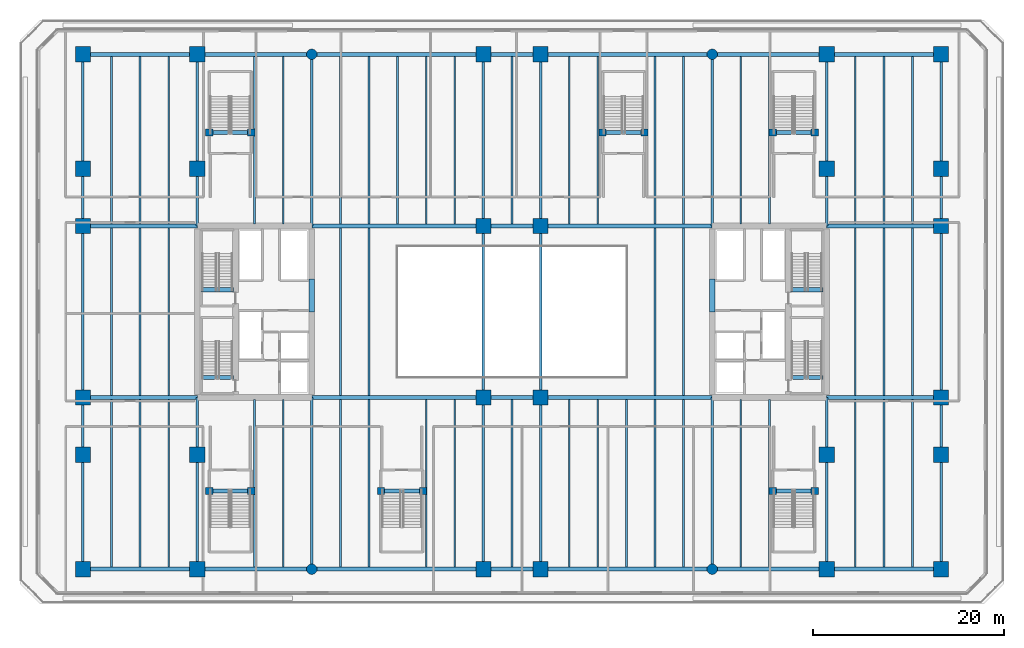
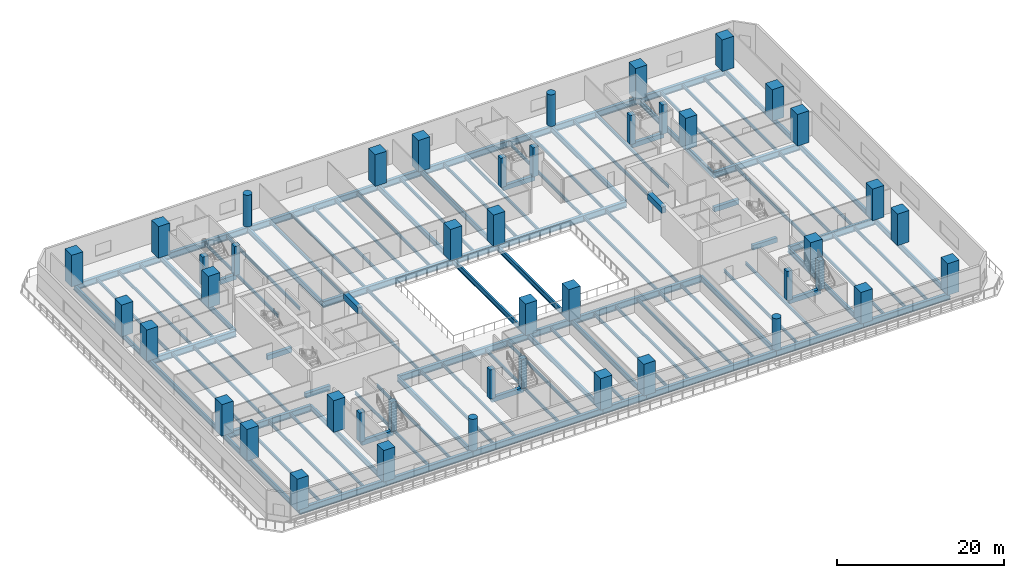
# One storey, part 1 of 27: 106 beams, 44 columns.
"""IFC4 building model written with IfcOpenShell, lengths in metres."""

from ifc_helpers import new_model, si_unit, direction, frame, origin, origin_2d, place, context, subcontext, project, spatial, rectangle, circle, i_section, extrude, material, material_profile, profile_set, type_object, element, save


model = new_model("IFC4")

# Units and contexts
model_context = context("Model", 3, precision=1e-05, world=origin(), true_north=direction((0.0, 1.0)))
body_context = subcontext(model_context, "Body", "Model", "MODEL_VIEW")
ifc_project = project(units=[si_unit("LENGTHUNIT", "METRE"), si_unit("AREAUNIT", "SQUARE_METRE"), si_unit("VOLUMEUNIT", "CUBIC_METRE"), si_unit("PLANEANGLEUNIT", "RADIAN"), si_unit("MASSUNIT", "GRAM", prefix="KILO")], contexts=[model_context])

# Site, building, storey
site_placement = place(None, origin())
site = spatial("IfcSite", under=ifc_project, at=site_placement, CompositionType="ELEMENT")
building_placement = place(site_placement, origin())
building = spatial("IfcBuilding", under=site, at=building_placement, Name="Tanjung Sevakor Pilgrim Tower", CompositionType="ELEMENT")
storey_placement = place(building_placement, frame((0.0, 0.0, 19.469970703125)))
storey = spatial("IfcBuildingStorey", under=building, at=storey_placement, Name="L05", CompositionType="ELEMENT", Elevation=19.469970703125)

# Columns
ifc_material_1 = material(Name="Concrete C60/75", Category="concrete")
ifc_material_profile_1 = material_profile(ifc_material_1, circle(Radius=0.550048828125, at=origin_2d()))
ifc_profile_set_1 = profile_set([ifc_material_profile_1], Name="Concrete C60/75")
column_type_1 = type_object("IfcColumnType", Name="COL-C-D1100-RC-COL_D1100", PredefinedType="COLUMN", material=ifc_profile_set_1)
for number, where, z_axis, x_axis, name in (
    (1, (36.0, 6.60009765625, 0.0), (0.0, 0.0, 1.0), (1.0, 0.0, 0.0), "L05 Column MC-036-066"),
    (2, (36.0, 60.60009765625, 0.0), (0.0, 0.0, 1.0), (1.0, 0.0, 0.0), "L05 Column MC-036-606"),
    (3, (78.0, 6.60009765625, 0.0), (0.0, 0.0, 1.0), (1.0, 0.0, 0.0), "L05 Column MC-078-066"),
    (4, (78.0, 60.60009765625, 0.0), (0.0, 0.0, 1.0), (1.0, 0.0, 0.0), "L05 Column MC-078-606"),
):
    element("IfcColumn", number, at=place(storey_placement, frame(where, z_axis=z_axis, x_axis=x_axis)), inside=storey, type_object=column_type_1, Name=name, PredefinedType="COLUMN", context=body_context, shape_type="SweptSolid", body=[
        extrude(circle(Radius=0.550048828125, at=origin_2d()), origin(), (0.0, 0.0, 1.0), 4.6201171875),
    ])
ifc_material_2 = material(Name="Concrete C60/75", Category="concrete")
ifc_material_profile_2 = material_profile(ifc_material_2, rectangle(XDim=1.60009765625, YDim=1.60009765625, at=origin_2d()))
ifc_profile_set_2 = profile_set([ifc_material_profile_2], Name="Concrete C60/75")
column_type_2 = type_object("IfcColumnType", Name="COL-C-M1600-RC_1600x1600", PredefinedType="COLUMN", material=ifc_profile_set_2)
for number, where, z_axis, x_axis, name in (
    (5, (12.0, 6.60009765625, 0.0), (0.0, 0.0, 1.0), (1.0, 0.0, 0.0), "L05 Column MC-012-066"),
    (6, (12.0, 24.60009765625, 0.0), (0.0, 0.0, 1.0), (1.0, 0.0, 0.0), "L05 Column MC-012-246"),
    (7, (12.0, 42.60009765625, 0.0), (0.0, 0.0, 1.0), (1.0, 0.0, 0.0), "L05 Column MC-012-426"),
    (8, (12.0, 60.60009765625, 0.0), (0.0, 0.0, 1.0), (1.0, 0.0, 0.0), "L05 Column MC-012-606"),
    (9, (24.0, 6.60009765625, 0.0), (0.0, 0.0, 1.0), (1.0, 0.0, 0.0), "L05 Column MC-024-066"),
    (10, (24.0, 60.60009765625, 0.0), (0.0, 0.0, 1.0), (1.0, 0.0, 0.0), "L05 Column MC-024-606"),
    (11, (54.0, 6.60009765625, 0.0), (0.0, 0.0, 1.0), (1.0, 0.0, 0.0), "L05 Column MC-054-066"),
    (12, (54.0, 24.60009765625, 0.0), (0.0, 0.0, 1.0), (1.0, 0.0, 0.0), "L05 Column MC-054-246"),
    (13, (54.0, 42.60009765625, 0.0), (0.0, 0.0, 1.0), (1.0, 0.0, 0.0), "L05 Column MC-054-426"),
    (14, (54.0, 60.60009765625, 0.0), (0.0, 0.0, 1.0), (1.0, 0.0, 0.0), "L05 Column MC-054-606"),
    (15, (60.0, 6.60009765625, 0.0), (0.0, 0.0, 1.0), (1.0, 0.0, 0.0), "L05 Column MC-060-066"),
    (16, (60.0, 24.60009765625, 0.0), (0.0, 0.0, 1.0), (1.0, 0.0, 0.0), "L05 Column MC-060-246"),
    (17, (60.0, 42.60009765625, 0.0), (0.0, 0.0, 1.0), (1.0, 0.0, 0.0), "L05 Column MC-060-426"),
    (18, (60.0, 60.60009765625, 0.0), (0.0, 0.0, 1.0), (1.0, 0.0, 0.0), "L05 Column MC-060-606"),
    (19, (90.0, 6.60009765625, 0.0), (0.0, 0.0, 1.0), (1.0, 0.0, 0.0), "L05 Column MC-090-066"),
    (20, (90.0, 60.60009765625, 0.0), (0.0, 0.0, 1.0), (1.0, 0.0, 0.0), "L05 Column MC-090-606"),
    (21, (102.0, 6.60009765625, 0.0), (0.0, 0.0, 1.0), (1.0, 0.0, 0.0), "L05 Column MC-102-066"),
    (22, (102.0, 24.60009765625, 0.0), (0.0, 0.0, 1.0), (1.0, 0.0, 0.0), "L05 Column MC-102-246"),
    (23, (102.0, 42.60009765625, 0.0), (0.0, 0.0, 1.0), (1.0, 0.0, 0.0), "L05 Column MC-102-426"),
    (24, (102.0, 60.60009765625, 0.0), (0.0, 0.0, 1.0), (1.0, 0.0, 0.0), "L05 Column MC-102-606"),
    (25, (12.0, 18.60009765625, 0.0), (0.0, 0.0, 1.0), (1.0, 0.0, 0.0), "L05 Column MCE-012-186"),
    (26, (12.0, 48.60009765625, 0.0), (0.0, 0.0, 1.0), (1.0, 0.0, 0.0), "L05 Column MCE-012-486"),
    (27, (24.0, 18.60009765625, 0.0), (0.0, 0.0, 1.0), (1.0, 0.0, 0.0), "L05 Column MCE-024-186"),
    (28, (24.0, 48.60009765625, 0.0), (0.0, 0.0, 1.0), (1.0, 0.0, 0.0), "L05 Column MCE-024-486"),
    (29, (90.0, 18.60009765625, 0.0), (0.0, 0.0, 1.0), (1.0, 0.0, 0.0), "L05 Column MCE-090-186"),
    (30, (90.0, 48.60009765625, 0.0), (0.0, 0.0, 1.0), (1.0, 0.0, 0.0), "L05 Column MCE-090-486"),
    (31, (102.0, 18.60009765625, 0.0), (0.0, 0.0, 1.0), (1.0, 0.0, 0.0), "L05 Column MCE-102-186"),
    (32, (102.0, 48.60009765625, 0.0), (0.0, 0.0, 1.0), (1.0, 0.0, 0.0), "L05 Column MCE-102-486"),
):
    element("IfcColumn", number, at=place(storey_placement, frame(where, z_axis=z_axis, x_axis=x_axis)), inside=storey, type_object=column_type_2, Name=name, PredefinedType="COLUMN", context=body_context, shape_type="SweptSolid", body=[
        extrude(rectangle(XDim=1.60009765625, YDim=1.60009765625, at=origin_2d()), origin(), (0.0, 0.0, 1.0), 4.6201171875),
    ])
ifc_material_3 = material(Name="Concrete C60/75", Category="concrete")
ifc_material_profile_3 = material_profile(ifc_material_3, rectangle(XDim=0.75, YDim=0.75, at=origin_2d()))
ifc_profile_set_3 = profile_set([ifc_material_profile_3], Name="Concrete C60/75")
column_type_3 = type_object("IfcColumnType", Name="COL-C-T750-RC_750x750", PredefinedType="COLUMN", material=ifc_profile_set_3)
for number, where, z_axis, x_axis, name in (
    (33, (25.25, 14.800048828125, 0.0), (0.0, 0.0, 1.0), (1.0, 0.0, 0.0), "L05 Stair Frame Column PS1P1"),
    (34, (29.64990234375, 14.800048828125, 0.0), (0.0, 0.0, 1.0), (1.0, 0.0, 0.0), "L05 Stair Frame Column PS1P2"),
    (35, (25.25, 52.39990234375, 0.0), (0.0, 0.0, 1.0), (1.0, 0.0, 0.0), "L05 Stair Frame Column PS2P1"),
    (36, (29.64990234375, 52.39990234375, 0.0), (0.0, 0.0, 1.0), (1.0, 0.0, 0.0), "L05 Stair Frame Column PS2P2"),
    (37, (43.25, 14.800048828125, 0.0), (0.0, 0.0, 1.0), (1.0, 0.0, 0.0), "L05 Stair Frame Column PS3P1"),
    (38, (47.64990234375, 14.800048828125, 0.0), (0.0, 0.0, 1.0), (1.0, 0.0, 0.0), "L05 Stair Frame Column PS3P2"),
    (39, (66.5, 52.39990234375, 0.0), (0.0, 0.0, 1.0), (1.0, 0.0, 0.0), "L05 Stair Frame Column PS4P1"),
    (40, (70.89990234375, 52.39990234375, 0.0), (0.0, 0.0, 1.0), (1.0, 0.0, 0.0), "L05 Stair Frame Column PS4P2"),
    (41, (84.35009765625, 14.800048828125, 0.0), (0.0, 0.0, 1.0), (1.0, 0.0, 0.0), "L05 Stair Frame Column PS5P1"),
    (42, (88.75, 14.800048828125, 0.0), (0.0, 0.0, 1.0), (1.0, 0.0, 0.0), "L05 Stair Frame Column PS5P2"),
    (43, (84.35009765625, 52.39990234375, 0.0), (0.0, 0.0, 1.0), (1.0, 0.0, 0.0), "L05 Stair Frame Column PS6P1"),
    (44, (88.75, 52.39990234375, 0.0), (0.0, 0.0, 1.0), (1.0, 0.0, 0.0), "L05 Stair Frame Column PS6P2"),
):
    element("IfcColumn", number, at=place(storey_placement, frame(where, z_axis=z_axis, x_axis=x_axis)), inside=storey, type_object=column_type_3, Name=name, PredefinedType="COLUMN", context=body_context, shape_type="SweptSolid", body=[
        extrude(rectangle(XDim=0.75, YDim=0.75, at=origin_2d()), origin(), (0.0, 0.0, 1.0), 4.27001953125),
    ])

# Beams
ifc_material_4 = material(Name="Steel S355J2", Category="steel")
ifc_material_profile_4 = material_profile(ifc_material_4, i_section(OverallWidth=0.26806640625, OverallDepth=0.769775390625, WebThickness=0.015625, FlangeThickness=0.025390625, FilletRadius=0.0166015625, at=origin_2d()))
ifc_profile_set_4 = profile_set([ifc_material_profile_4], Name="Steel S355J2")
beam_type_1 = type_object("IfcBeamType", Name="BM-B-G1-UB_762x267x197", PredefinedType="BEAM", material=ifc_profile_set_4)
for number, where, z_axis, x_axis, name in (
    (45, (12.0, 6.60009765625, -0.664794921875), (0.0, 1.0, 0.0), (-1.0, 0.0, 0.0), "L05 Podium Girder NS X12-1"),
    (46, (12.0, 24.60009765625, -0.664794921875), (0.0, 1.0, 0.0), (-1.0, 0.0, 0.0), "L05 Podium Girder NS X12-2"),
    (47, (12.0, 42.60009765625, -0.664794921875), (0.0, 1.0, 0.0), (-1.0, 0.0, 0.0), "L05 Podium Girder NS X12-3"),
    (48, (24.0, 6.60009765625, -0.664794921875), (0.0, 1.0, 0.0), (-1.0, 0.0, 0.0), "L05 Podium Girder NS X24-1"),
    (49, (24.0, 42.60009765625, -0.664794921875), (0.0, 1.0, 0.0), (-1.0, 0.0, 0.0), "L05 Podium Girder NS X24-2"),
    (50, (36.0, 6.60009765625, -0.664794921875), (0.0, 1.0, 0.0), (-1.0, 0.0, 0.0), "L05 Podium Girder NS X36-1"),
    (51, (36.0, 42.60009765625, -0.664794921875), (0.0, 1.0, 0.0), (-1.0, 0.0, 0.0), "L05 Podium Girder NS X36-2"),
    (52, (54.0, 6.60009765625, -0.664794921875), (0.0, 1.0, 0.0), (-1.0, 0.0, 0.0), "L05 Podium Girder NS X54-1"),
    (53, (54.0, 24.60009765625, -0.664794921875), (0.0, 1.0, 0.0), (-1.0, 0.0, 0.0), "L05 Podium Girder NS X54-2"),
    (54, (54.0, 42.60009765625, -0.664794921875), (0.0, 1.0, 0.0), (-1.0, 0.0, 0.0), "L05 Podium Girder NS X54-3"),
    (55, (60.0, 6.60009765625, -0.664794921875), (0.0, 1.0, 0.0), (-1.0, 0.0, 0.0), "L05 Podium Girder NS X60-1"),
    (56, (60.0, 24.60009765625, -0.664794921875), (0.0, 1.0, 0.0), (-1.0, 0.0, 0.0), "L05 Podium Girder NS X60-2"),
    (57, (60.0, 42.60009765625, -0.664794921875), (0.0, 1.0, 0.0), (-1.0, 0.0, 0.0), "L05 Podium Girder NS X60-3"),
    (58, (78.0, 6.60009765625, -0.664794921875), (0.0, 1.0, 0.0), (-1.0, 0.0, 0.0), "L05 Podium Girder NS X78-1"),
    (59, (78.0, 42.60009765625, -0.664794921875), (0.0, 1.0, 0.0), (-1.0, 0.0, 0.0), "L05 Podium Girder NS X78-2"),
    (60, (90.0, 6.60009765625, -0.664794921875), (0.0, 1.0, 0.0), (-1.0, 0.0, 0.0), "L05 Podium Girder NS X90-1"),
    (61, (90.0, 42.60009765625, -0.664794921875), (0.0, 1.0, 0.0), (-1.0, 0.0, 0.0), "L05 Podium Girder NS X90-2"),
    (62, (102.0, 6.60009765625, -0.664794921875), (0.0, 1.0, 0.0), (-1.0, 0.0, 0.0), "L05 Podium Girder NS X102-1"),
    (63, (102.0, 24.60009765625, -0.664794921875), (0.0, 1.0, 0.0), (-1.0, 0.0, 0.0), "L05 Podium Girder NS X102-2"),
    (64, (102.0, 42.60009765625, -0.664794921875), (0.0, 1.0, 0.0), (-1.0, 0.0, 0.0), "L05 Podium Girder NS X102-3"),
):
    element("IfcBeam", number, at=place(storey_placement, frame(where, z_axis=z_axis, x_axis=x_axis)), inside=storey, type_object=beam_type_1, Name=name, PredefinedType="BEAM", context=body_context, shape_type="SweptSolid", body=[
        extrude(i_section(OverallWidth=0.26806640625, OverallDepth=0.769775390625, WebThickness=0.015625, FlangeThickness=0.025390625, FilletRadius=0.0166015625, at=origin_2d()), origin(), (0.0, 0.0, 1.0), 18.0),
    ])
ifc_material_5 = material(Name="Steel S355J2", Category="steel")
ifc_material_profile_5 = material_profile(ifc_material_5, i_section(OverallWidth=0.19140625, OverallDepth=0.4599609375, WebThickness=0.010009765625, FlangeThickness=0.01611328125, FilletRadius=0.01025390625, at=origin_2d()))
ifc_profile_set_5 = profile_set([ifc_material_profile_5], Name="Steel S355J2")
beam_type_2 = type_object("IfcBeamType", Name="BM-B-J2-UB_457x191x82", PredefinedType="JOIST", material=ifc_profile_set_5)
for number, where, z_axis, x_axis, name in (
    (65, (15.0, 6.810302734375, -0.510009765625), (0.0, 1.0, 0.0), (-1.0, 0.0, 0.0), "L05 Secondary Joist 001"),
    (66, (15.0, 24.810302734375, -0.510009765625), (0.0, 1.0, 0.0), (-1.0, 0.0, 0.0), "L05 Secondary Joist 002"),
    (67, (15.0, 42.810302734375, -0.510009765625), (0.0, 1.0, 0.0), (-1.0, 0.0, 0.0), "L05 Secondary Joist 003"),
    (68, (18.0, 6.810302734375, -0.510009765625), (0.0, 1.0, 0.0), (-1.0, 0.0, 0.0), "L05 Secondary Joist 004"),
    (69, (18.0, 24.810302734375, -0.510009765625), (0.0, 1.0, 0.0), (-1.0, 0.0, 0.0), "L05 Secondary Joist 005"),
    (70, (18.0, 42.810302734375, -0.510009765625), (0.0, 1.0, 0.0), (-1.0, 0.0, 0.0), "L05 Secondary Joist 006"),
    (71, (21.0, 6.810302734375, -0.510009765625), (0.0, 1.0, 0.0), (-1.0, 0.0, 0.0), "L05 Secondary Joist 007"),
    (72, (21.0, 24.810302734375, -0.510009765625), (0.0, 1.0, 0.0), (-1.0, 0.0, 0.0), "L05 Secondary Joist 008"),
    (73, (21.0, 42.810302734375, -0.510009765625), (0.0, 1.0, 0.0), (-1.0, 0.0, 0.0), "L05 Secondary Joist 009"),
    (74, (30.0, 6.810302734375, -0.510009765625), (0.0, 1.0, 0.0), (-1.0, 0.0, 0.0), "L05 Secondary Joist 010"),
    (75, (30.0, 42.810302734375, -0.510009765625), (0.0, 1.0, 0.0), (-1.0, 0.0, 0.0), "L05 Secondary Joist 011"),
    (76, (33.0, 6.810302734375, -0.510009765625), (0.0, 1.0, 0.0), (-1.0, 0.0, 0.0), "L05 Secondary Joist 012"),
    (77, (33.0, 42.810302734375, -0.510009765625), (0.0, 1.0, 0.0), (-1.0, 0.0, 0.0), "L05 Secondary Joist 013"),
    (78, (39.0, 6.810302734375, -0.510009765625), (0.0, 1.0, 0.0), (-1.0, 0.0, 0.0), "L05 Secondary Joist 014"),
    (79, (39.0, 24.810302734375, -0.510009765625), (0.0, 1.0, 0.0), (-1.0, 0.0, 0.0), "L05 Secondary Joist 015"),
    (80, (39.0, 42.810302734375, -0.510009765625), (0.0, 1.0, 0.0), (-1.0, 0.0, 0.0), "L05 Secondary Joist 016"),
    (81, (42.0, 6.810302734375, -0.510009765625), (0.0, 1.0, 0.0), (-1.0, 0.0, 0.0), "L05 Secondary Joist 017"),
    (82, (42.0, 24.810302734375, -0.510009765625), (0.0, 1.0, 0.0), (-1.0, 0.0, 0.0), "L05 Secondary Joist 018"),
    (83, (42.0, 42.810302734375, -0.510009765625), (0.0, 1.0, 0.0), (-1.0, 0.0, 0.0), "L05 Secondary Joist 019"),
    (84, (45.0, 42.810302734375, -0.510009765625), (0.0, 1.0, 0.0), (-1.0, 0.0, 0.0), "L05 Secondary Joist 020"),
    (85, (48.0, 6.810302734375, -0.510009765625), (0.0, 1.0, 0.0), (-1.0, 0.0, 0.0), "L05 Secondary Joist 021"),
    (86, (48.0, 42.810302734375, -0.510009765625), (0.0, 1.0, 0.0), (-1.0, 0.0, 0.0), "L05 Secondary Joist 022"),
    (87, (51.0, 6.810302734375, -0.510009765625), (0.0, 1.0, 0.0), (-1.0, 0.0, 0.0), "L05 Secondary Joist 023"),
    (88, (51.0, 42.810302734375, -0.510009765625), (0.0, 1.0, 0.0), (-1.0, 0.0, 0.0), "L05 Secondary Joist 024"),
    (89, (57.0, 6.810302734375, -0.510009765625), (0.0, 1.0, 0.0), (-1.0, 0.0, 0.0), "L05 Secondary Joist 025"),
    (90, (57.0, 42.810302734375, -0.510009765625), (0.0, 1.0, 0.0), (-1.0, 0.0, 0.0), "L05 Secondary Joist 026"),
    (91, (63.0, 6.810302734375, -0.510009765625), (0.0, 1.0, 0.0), (-1.0, 0.0, 0.0), "L05 Secondary Joist 027"),
    (92, (63.0, 42.810302734375, -0.510009765625), (0.0, 1.0, 0.0), (-1.0, 0.0, 0.0), "L05 Secondary Joist 028"),
    (93, (66.0, 6.810302734375, -0.510009765625), (0.0, 1.0, 0.0), (-1.0, 0.0, 0.0), "L05 Secondary Joist 029"),
    (94, (66.0, 42.810302734375, -0.510009765625), (0.0, 1.0, 0.0), (-1.0, 0.0, 0.0), "L05 Secondary Joist 030"),
    (95, (69.0, 6.810302734375, -0.510009765625), (0.0, 1.0, 0.0), (-1.0, 0.0, 0.0), "L05 Secondary Joist 031"),
    (96, (72.0, 6.810302734375, -0.510009765625), (0.0, 1.0, 0.0), (-1.0, 0.0, 0.0), "L05 Secondary Joist 032"),
    (97, (72.0, 24.810302734375, -0.510009765625), (0.0, 1.0, 0.0), (-1.0, 0.0, 0.0), "L05 Secondary Joist 033"),
    (98, (72.0, 42.810302734375, -0.510009765625), (0.0, 1.0, 0.0), (-1.0, 0.0, 0.0), "L05 Secondary Joist 034"),
    (99, (75.0, 6.810302734375, -0.510009765625), (0.0, 1.0, 0.0), (-1.0, 0.0, 0.0), "L05 Secondary Joist 035"),
    (100, (75.0, 24.810302734375, -0.510009765625), (0.0, 1.0, 0.0), (-1.0, 0.0, 0.0), "L05 Secondary Joist 036"),
    (101, (75.0, 42.810302734375, -0.510009765625), (0.0, 1.0, 0.0), (-1.0, 0.0, 0.0), "L05 Secondary Joist 037"),
    (102, (81.0, 6.810302734375, -0.510009765625), (0.0, 1.0, 0.0), (-1.0, 0.0, 0.0), "L05 Secondary Joist 038"),
    (103, (81.0, 42.810302734375, -0.510009765625), (0.0, 1.0, 0.0), (-1.0, 0.0, 0.0), "L05 Secondary Joist 039"),
    (104, (84.0, 6.810302734375, -0.510009765625), (0.0, 1.0, 0.0), (-1.0, 0.0, 0.0), "L05 Secondary Joist 040"),
    (105, (84.0, 42.810302734375, -0.510009765625), (0.0, 1.0, 0.0), (-1.0, 0.0, 0.0), "L05 Secondary Joist 041"),
    (106, (93.0, 6.810302734375, -0.510009765625), (0.0, 1.0, 0.0), (-1.0, 0.0, 0.0), "L05 Secondary Joist 042"),
    (107, (93.0, 24.810302734375, -0.510009765625), (0.0, 1.0, 0.0), (-1.0, 0.0, 0.0), "L05 Secondary Joist 043"),
    (108, (93.0, 42.810302734375, -0.510009765625), (0.0, 1.0, 0.0), (-1.0, 0.0, 0.0), "L05 Secondary Joist 044"),
    (109, (96.0, 6.810302734375, -0.510009765625), (0.0, 1.0, 0.0), (-1.0, 0.0, 0.0), "L05 Secondary Joist 045"),
    (110, (96.0, 24.810302734375, -0.510009765625), (0.0, 1.0, 0.0), (-1.0, 0.0, 0.0), "L05 Secondary Joist 046"),
    (111, (96.0, 42.810302734375, -0.510009765625), (0.0, 1.0, 0.0), (-1.0, 0.0, 0.0), "L05 Secondary Joist 047"),
    (112, (99.0, 6.810302734375, -0.510009765625), (0.0, 1.0, 0.0), (-1.0, 0.0, 0.0), "L05 Secondary Joist 048"),
    (113, (99.0, 24.810302734375, -0.510009765625), (0.0, 1.0, 0.0), (-1.0, 0.0, 0.0), "L05 Secondary Joist 049"),
    (114, (99.0, 42.810302734375, -0.510009765625), (0.0, 1.0, 0.0), (-1.0, 0.0, 0.0), "L05 Secondary Joist 050"),
):
    element("IfcBeam", number, at=place(storey_placement, frame(where, z_axis=z_axis, x_axis=x_axis)), inside=storey, type_object=beam_type_2, Name=name, PredefinedType="JOIST", context=body_context, shape_type="SweptSolid", body=[
        extrude(i_section(OverallWidth=0.19140625, OverallDepth=0.4599609375, WebThickness=0.010009765625, FlangeThickness=0.01611328125, FilletRadius=0.01025390625, at=origin_2d()), origin(), (0.0, 0.0, 1.0), 17.57958984375),
    ])
ifc_material_6 = material(Name="Concrete C60/75", Category="concrete")
ifc_material_profile_6 = material_profile(ifc_material_6, rectangle(XDim=0.60009765625, YDim=0.89990234375, at=origin_2d()))
ifc_profile_set_6 = profile_set([ifc_material_profile_6], Name="Concrete C60/75")
beam_type_3 = type_object("IfcBeamType", Name="BM-B-LN1-RC-BM_600x900", PredefinedType="LINTEL", material=ifc_profile_set_6)
for number, where, z_axis, x_axis, name in (
    (115, (36.0, 33.550048828125, 3.820068359375), (0.0, 1.0, 0.0), (-1.0, 0.0, 0.0), "L05 W Core Coupling Lintel"),
    (116, (78.0, 33.550048828125, 3.820068359375), (0.0, 1.0, 0.0), (-1.0, 0.0, 0.0), "L05 E Core Coupling Lintel"),
):
    element("IfcBeam", number, at=place(storey_placement, frame(where, z_axis=z_axis, x_axis=x_axis)), inside=storey, type_object=beam_type_3, Name=name, PredefinedType="LINTEL", context=body_context, shape_type="SweptSolid", body=[
        extrude(rectangle(XDim=0.60009765625, YDim=0.89990234375, at=origin_2d()), origin(), (0.0, 0.0, 1.0), 3.5),
    ])
ifc_material_7 = material(Name="Concrete C60/75", Category="concrete")
ifc_material_profile_7 = material_profile(ifc_material_7, rectangle(XDim=0.449951171875, YDim=0.699951171875, at=origin_2d()))
ifc_profile_set_7 = profile_set([ifc_material_profile_7], Name="Concrete C60/75")
beam_type_4 = type_object("IfcBeamType", Name="BM-B-LN3-RC-BM_450x700", PredefinedType="LINTEL", material=ifc_profile_set_7)
for number, where, z_axis, x_axis, name in (
    (117, (24.39990234375, 26.699951171875, -0.349853515625), (1.0, 0.0, 0.0), (0.0, 1.0, 0.0), "L05 TS-W1 Stair Threshold Beam"),
    (118, (24.39990234375, 35.89990234375, -0.349853515625), (1.0, 0.0, 0.0), (0.0, 1.0, 0.0), "L05 TS-W2 Stair Threshold Beam"),
    (119, (86.199951171875, 26.699951171875, -0.349853515625), (1.0, 0.0, 0.0), (0.0, 1.0, 0.0), "L05 TS-E1 Stair Threshold Beam"),
    (120, (86.199951171875, 35.89990234375, -0.349853515625), (1.0, 0.0, 0.0), (0.0, 1.0, 0.0), "L05 TS-E2 Stair Threshold Beam"),
):
    element("IfcBeam", number, at=place(storey_placement, frame(where, z_axis=z_axis, x_axis=x_axis)), inside=storey, type_object=beam_type_4, Name=name, PredefinedType="LINTEL", context=body_context, shape_type="SweptSolid", body=[
        extrude(rectangle(XDim=0.449951171875, YDim=0.699951171875, at=origin_2d()), origin(), (0.0, 0.0, 1.0), 3.400146484375),
    ])
for number, where, z_axis, x_axis, name in (
    (121, (25.25, 14.800048828125, -0.349853515625), (1.0, 0.0, 0.0), (0.0, 1.0, 0.0), "L05 PS-1 Stair Threshold Beam"),
    (122, (25.25, 52.39990234375, -0.349853515625), (1.0, 0.0, 0.0), (0.0, 1.0, 0.0), "L05 PS-2 Stair Threshold Beam"),
    (123, (43.25, 14.800048828125, -0.349853515625), (1.0, 0.0, 0.0), (0.0, 1.0, 0.0), "L05 PS-3 Stair Threshold Beam"),
    (124, (66.5, 52.39990234375, -0.349853515625), (1.0, 0.0, 0.0), (0.0, 1.0, 0.0), "L05 PS-4 Stair Threshold Beam"),
    (125, (84.35009765625, 14.800048828125, -0.349853515625), (1.0, 0.0, 0.0), (0.0, 1.0, 0.0), "L05 PS-5 Stair Threshold Beam"),
    (126, (84.35009765625, 52.39990234375, -0.349853515625), (1.0, 0.0, 0.0), (0.0, 1.0, 0.0), "L05 PS-6 Stair Threshold Beam"),
):
    element("IfcBeam", number, at=place(storey_placement, frame(where, z_axis=z_axis, x_axis=x_axis)), inside=storey, type_object=beam_type_4, Name=name, PredefinedType="LINTEL", context=body_context, shape_type="SweptSolid", body=[
        extrude(rectangle(XDim=0.449951171875, YDim=0.699951171875, at=origin_2d()), origin(), (0.0, 0.0, 1.0), 4.39990234375),
    ])
ifc_material_8 = material(Name="Steel S355J2", Category="steel")
ifc_material_profile_8 = material_profile(ifc_material_8, i_section(OverallWidth=0.42041015625, OverallDepth=0.9208984375, WebThickness=0.021484375, FlangeThickness=0.03662109375, FilletRadius=0.024169921875, at=origin_2d()))
ifc_profile_set_8 = profile_set([ifc_material_profile_8], Name="Steel S355J2")
beam_type_5 = type_object("IfcBeamType", Name="BM-B-POD1-UB_914x419x388", PredefinedType="BEAM", material=ifc_profile_set_8)
for number, where, z_axis, x_axis, name in (
    (127, (12.0, 6.60009765625, -0.740478515625), (1.0, 0.0, 0.0), (0.0, 1.0, 0.0), "L05 Podium Girder EW Y6.6-1"),
    (128, (24.0, 6.60009765625, -0.740478515625), (1.0, 0.0, 0.0), (0.0, 1.0, 0.0), "L05 Podium Girder EW Y6.6-2"),
):
    element("IfcBeam", number, at=place(storey_placement, frame(where, z_axis=z_axis, x_axis=x_axis)), inside=storey, type_object=beam_type_5, Name=name, PredefinedType="BEAM", context=body_context, shape_type="SweptSolid", body=[
        extrude(i_section(OverallWidth=0.42041015625, OverallDepth=0.9208984375, WebThickness=0.021484375, FlangeThickness=0.03662109375, FilletRadius=0.024169921875, at=origin_2d()), origin(), (0.0, 0.0, 1.0), 12.0),
    ])
beam_1_placement = place(storey_placement, frame((36.0, 6.60009765625, -0.740478515625), z_axis=(1.0, 0.0, 0.0), x_axis=(0.0, 1.0, 0.0)))
element("IfcBeam", 129, at=beam_1_placement, inside=storey, type_object=beam_type_5, Name="L05 Podium Girder EW Y6.6-3", PredefinedType="BEAM", context=body_context, shape_type="SweptSolid", body=[
    extrude(i_section(OverallWidth=0.42041015625, OverallDepth=0.9208984375, WebThickness=0.021484375, FlangeThickness=0.03662109375, FilletRadius=0.024169921875, at=origin_2d()), origin(), (0.0, 0.0, 1.0), 18.0),
])
beam_2_placement = place(storey_placement, frame((54.0, 6.60009765625, -0.740478515625), z_axis=(1.0, 0.0, 0.0), x_axis=(0.0, 1.0, 0.0)))
element("IfcBeam", 130, at=beam_2_placement, inside=storey, type_object=beam_type_5, Name="L05 Podium Girder EW Y6.6-4", PredefinedType="BEAM", context=body_context, shape_type="SweptSolid", body=[
    extrude(i_section(OverallWidth=0.42041015625, OverallDepth=0.9208984375, WebThickness=0.021484375, FlangeThickness=0.03662109375, FilletRadius=0.024169921875, at=origin_2d()), origin(), (0.0, 0.0, 1.0), 6.0),
])
beam_3_placement = place(storey_placement, frame((60.0, 6.60009765625, -0.740478515625), z_axis=(1.0, 0.0, 0.0), x_axis=(0.0, 1.0, 0.0)))
element("IfcBeam", 131, at=beam_3_placement, inside=storey, type_object=beam_type_5, Name="L05 Podium Girder EW Y6.6-5", PredefinedType="BEAM", context=body_context, shape_type="SweptSolid", body=[
    extrude(i_section(OverallWidth=0.42041015625, OverallDepth=0.9208984375, WebThickness=0.021484375, FlangeThickness=0.03662109375, FilletRadius=0.024169921875, at=origin_2d()), origin(), (0.0, 0.0, 1.0), 18.0),
])
for number, where, z_axis, x_axis, name in (
    (132, (78.0, 6.60009765625, -0.740478515625), (1.0, 0.0, 0.0), (0.0, 1.0, 0.0), "L05 Podium Girder EW Y6.6-6"),
    (133, (90.0, 6.60009765625, -0.740478515625), (1.0, 0.0, 0.0), (0.0, 1.0, 0.0), "L05 Podium Girder EW Y6.6-7"),
    (134, (12.0, 24.60009765625, -0.740478515625), (1.0, 0.0, 0.0), (0.0, 1.0, 0.0), "L05 Podium Girder EW Y24.6-1"),
):
    element("IfcBeam", number, at=place(storey_placement, frame(where, z_axis=z_axis, x_axis=x_axis)), inside=storey, type_object=beam_type_5, Name=name, PredefinedType="BEAM", context=body_context, shape_type="SweptSolid", body=[
        extrude(i_section(OverallWidth=0.42041015625, OverallDepth=0.9208984375, WebThickness=0.021484375, FlangeThickness=0.03662109375, FilletRadius=0.024169921875, at=origin_2d()), origin(), (0.0, 0.0, 1.0), 12.0),
    ])
beam_4_placement = place(storey_placement, frame((36.0, 24.60009765625, -0.740478515625), z_axis=(1.0, 0.0, 0.0), x_axis=(0.0, 1.0, 0.0)))
element("IfcBeam", 135, at=beam_4_placement, inside=storey, type_object=beam_type_5, Name="L05 Podium Girder EW Y24.6-2", PredefinedType="BEAM", context=body_context, shape_type="SweptSolid", body=[
    extrude(i_section(OverallWidth=0.42041015625, OverallDepth=0.9208984375, WebThickness=0.021484375, FlangeThickness=0.03662109375, FilletRadius=0.024169921875, at=origin_2d()), origin(), (0.0, 0.0, 1.0), 18.0),
])
beam_5_placement = place(storey_placement, frame((54.0, 24.60009765625, -0.740478515625), z_axis=(1.0, 0.0, 0.0), x_axis=(0.0, 1.0, 0.0)))
element("IfcBeam", 136, at=beam_5_placement, inside=storey, type_object=beam_type_5, Name="L05 Podium Girder EW Y24.6-3", PredefinedType="BEAM", context=body_context, shape_type="SweptSolid", body=[
    extrude(i_section(OverallWidth=0.42041015625, OverallDepth=0.9208984375, WebThickness=0.021484375, FlangeThickness=0.03662109375, FilletRadius=0.024169921875, at=origin_2d()), origin(), (0.0, 0.0, 1.0), 6.0),
])
beam_6_placement = place(storey_placement, frame((60.0, 24.60009765625, -0.740478515625), z_axis=(1.0, 0.0, 0.0), x_axis=(0.0, 1.0, 0.0)))
element("IfcBeam", 137, at=beam_6_placement, inside=storey, type_object=beam_type_5, Name="L05 Podium Girder EW Y24.6-4", PredefinedType="BEAM", context=body_context, shape_type="SweptSolid", body=[
    extrude(i_section(OverallWidth=0.42041015625, OverallDepth=0.9208984375, WebThickness=0.021484375, FlangeThickness=0.03662109375, FilletRadius=0.024169921875, at=origin_2d()), origin(), (0.0, 0.0, 1.0), 18.0),
])
for number, where, z_axis, x_axis, name in (
    (138, (90.0, 24.60009765625, -0.740478515625), (1.0, 0.0, 0.0), (0.0, 1.0, 0.0), "L05 Podium Girder EW Y24.6-5"),
    (139, (12.0, 42.60009765625, -0.740478515625), (1.0, 0.0, 0.0), (0.0, 1.0, 0.0), "L05 Podium Girder EW Y42.6-1"),
):
    element("IfcBeam", number, at=place(storey_placement, frame(where, z_axis=z_axis, x_axis=x_axis)), inside=storey, type_object=beam_type_5, Name=name, PredefinedType="BEAM", context=body_context, shape_type="SweptSolid", body=[
        extrude(i_section(OverallWidth=0.42041015625, OverallDepth=0.9208984375, WebThickness=0.021484375, FlangeThickness=0.03662109375, FilletRadius=0.024169921875, at=origin_2d()), origin(), (0.0, 0.0, 1.0), 12.0),
    ])
beam_7_placement = place(storey_placement, frame((36.0, 42.60009765625, -0.740478515625), z_axis=(1.0, 0.0, 0.0), x_axis=(0.0, 1.0, 0.0)))
element("IfcBeam", 140, at=beam_7_placement, inside=storey, type_object=beam_type_5, Name="L05 Podium Girder EW Y42.6-2", PredefinedType="BEAM", context=body_context, shape_type="SweptSolid", body=[
    extrude(i_section(OverallWidth=0.42041015625, OverallDepth=0.9208984375, WebThickness=0.021484375, FlangeThickness=0.03662109375, FilletRadius=0.024169921875, at=origin_2d()), origin(), (0.0, 0.0, 1.0), 18.0),
])
beam_8_placement = place(storey_placement, frame((54.0, 42.60009765625, -0.740478515625), z_axis=(1.0, 0.0, 0.0), x_axis=(0.0, 1.0, 0.0)))
element("IfcBeam", 141, at=beam_8_placement, inside=storey, type_object=beam_type_5, Name="L05 Podium Girder EW Y42.6-3", PredefinedType="BEAM", context=body_context, shape_type="SweptSolid", body=[
    extrude(i_section(OverallWidth=0.42041015625, OverallDepth=0.9208984375, WebThickness=0.021484375, FlangeThickness=0.03662109375, FilletRadius=0.024169921875, at=origin_2d()), origin(), (0.0, 0.0, 1.0), 6.0),
])
beam_9_placement = place(storey_placement, frame((60.0, 42.60009765625, -0.740478515625), z_axis=(1.0, 0.0, 0.0), x_axis=(0.0, 1.0, 0.0)))
element("IfcBeam", 142, at=beam_9_placement, inside=storey, type_object=beam_type_5, Name="L05 Podium Girder EW Y42.6-4", PredefinedType="BEAM", context=body_context, shape_type="SweptSolid", body=[
    extrude(i_section(OverallWidth=0.42041015625, OverallDepth=0.9208984375, WebThickness=0.021484375, FlangeThickness=0.03662109375, FilletRadius=0.024169921875, at=origin_2d()), origin(), (0.0, 0.0, 1.0), 18.0),
])
for number, where, z_axis, x_axis, name in (
    (143, (90.0, 42.60009765625, -0.740478515625), (1.0, 0.0, 0.0), (0.0, 1.0, 0.0), "L05 Podium Girder EW Y42.6-5"),
    (144, (12.0, 60.60009765625, -0.740478515625), (1.0, 0.0, 0.0), (0.0, 1.0, 0.0), "L05 Podium Girder EW Y60.6-1"),
    (145, (24.0, 60.60009765625, -0.740478515625), (1.0, 0.0, 0.0), (0.0, 1.0, 0.0), "L05 Podium Girder EW Y60.6-2"),
):
    element("IfcBeam", number, at=place(storey_placement, frame(where, z_axis=z_axis, x_axis=x_axis)), inside=storey, type_object=beam_type_5, Name=name, PredefinedType="BEAM", context=body_context, shape_type="SweptSolid", body=[
        extrude(i_section(OverallWidth=0.42041015625, OverallDepth=0.9208984375, WebThickness=0.021484375, FlangeThickness=0.03662109375, FilletRadius=0.024169921875, at=origin_2d()), origin(), (0.0, 0.0, 1.0), 12.0),
    ])
beam_10_placement = place(storey_placement, frame((36.0, 60.60009765625, -0.740478515625), z_axis=(1.0, 0.0, 0.0), x_axis=(0.0, 1.0, 0.0)))
element("IfcBeam", 146, at=beam_10_placement, inside=storey, type_object=beam_type_5, Name="L05 Podium Girder EW Y60.6-3", PredefinedType="BEAM", context=body_context, shape_type="SweptSolid", body=[
    extrude(i_section(OverallWidth=0.42041015625, OverallDepth=0.9208984375, WebThickness=0.021484375, FlangeThickness=0.03662109375, FilletRadius=0.024169921875, at=origin_2d()), origin(), (0.0, 0.0, 1.0), 18.0),
])
beam_11_placement = place(storey_placement, frame((54.0, 60.60009765625, -0.740478515625), z_axis=(1.0, 0.0, 0.0), x_axis=(0.0, 1.0, 0.0)))
element("IfcBeam", 147, at=beam_11_placement, inside=storey, type_object=beam_type_5, Name="L05 Podium Girder EW Y60.6-4", PredefinedType="BEAM", context=body_context, shape_type="SweptSolid", body=[
    extrude(i_section(OverallWidth=0.42041015625, OverallDepth=0.9208984375, WebThickness=0.021484375, FlangeThickness=0.03662109375, FilletRadius=0.024169921875, at=origin_2d()), origin(), (0.0, 0.0, 1.0), 6.0),
])
beam_12_placement = place(storey_placement, frame((60.0, 60.60009765625, -0.740478515625), z_axis=(1.0, 0.0, 0.0), x_axis=(0.0, 1.0, 0.0)))
element("IfcBeam", 148, at=beam_12_placement, inside=storey, type_object=beam_type_5, Name="L05 Podium Girder EW Y60.6-5", PredefinedType="BEAM", context=body_context, shape_type="SweptSolid", body=[
    extrude(i_section(OverallWidth=0.42041015625, OverallDepth=0.9208984375, WebThickness=0.021484375, FlangeThickness=0.03662109375, FilletRadius=0.024169921875, at=origin_2d()), origin(), (0.0, 0.0, 1.0), 18.0),
])
for number, where, z_axis, x_axis, name in (
    (149, (78.0, 60.60009765625, -0.740478515625), (1.0, 0.0, 0.0), (0.0, 1.0, 0.0), "L05 Podium Girder EW Y60.6-6"),
    (150, (90.0, 60.60009765625, -0.740478515625), (1.0, 0.0, 0.0), (0.0, 1.0, 0.0), "L05 Podium Girder EW Y60.6-7"),
):
    element("IfcBeam", number, at=place(storey_placement, frame(where, z_axis=z_axis, x_axis=x_axis)), inside=storey, type_object=beam_type_5, Name=name, PredefinedType="BEAM", context=body_context, shape_type="SweptSolid", body=[
        extrude(i_section(OverallWidth=0.42041015625, OverallDepth=0.9208984375, WebThickness=0.021484375, FlangeThickness=0.03662109375, FilletRadius=0.024169921875, at=origin_2d()), origin(), (0.0, 0.0, 1.0), 12.0),
    ])

save(model, "model.ifc")
